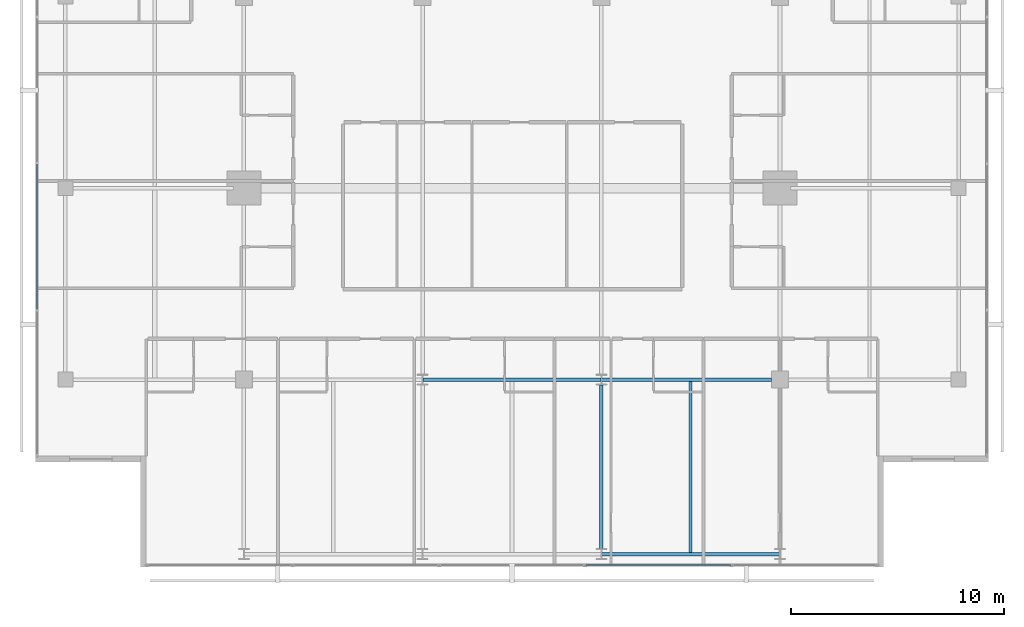
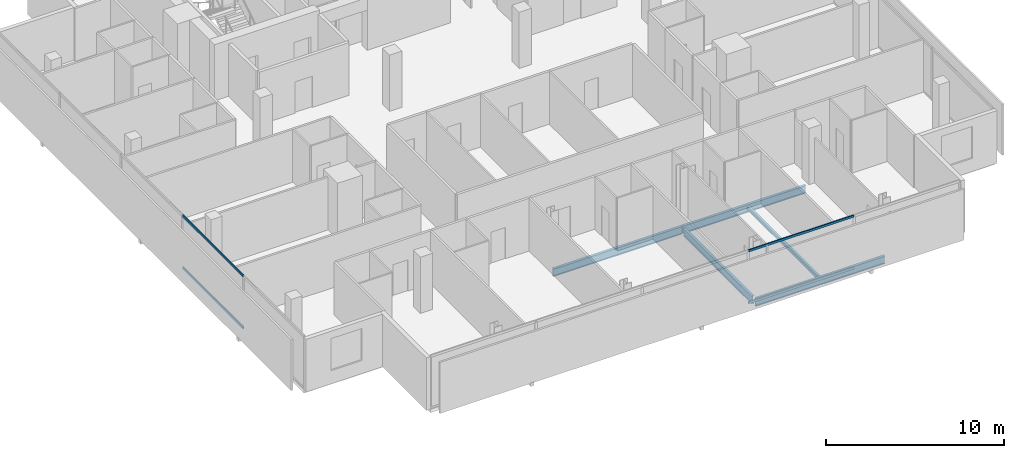
# One storey, part 7 of 26: 5 beams, 4 members, 2 elements without a shape of their own.
"""IFC4 building model written with IfcOpenShell, lengths in metres."""

import ifcopenshell
import ifcopenshell.guid

model = None  # the IFC model being written
_history = None  # IfcOwnerHistory: only IFC2X3 demands one
_inside = {}  # id of a spatial element -> (the spatial element, [elements in it])
_under = {}  # id of a project, library or spatial element -> (it, [spatial elements below it])
_declared = {}  # id of a project -> (the project, [libraries it declares])
_typed = {}  # id of a type object -> (the type object, [elements of that type])
_made_of = {}  # id of a material, layer set ... -> (it, [elements and type objects made of it])


def new_model(schema):
    """Start an empty IFC model of exactly this schema.

    Asked for "IFC4X3", IfcOpenShell would pick the latest addendum, in which some entities
    have other attributes; the version numbers below select the first issue.
    IFC2X3 requires an IfcOwnerHistory on every rooted entity: one is made here for all.
    """
    global model, _history
    if schema == "IFC4X3":
        model = ifcopenshell.file(schema_version=(4, 3, 0, 0))
    else:
        model = ifcopenshell.file(schema=schema)
    _inside.clear()
    _under.clear()
    _declared.clear()
    _typed.clear()
    _made_of.clear()
    _history = None
    if model.schema == "IFC2X3":
        org = make("IfcOrganization", Name="unknown")
        user = make(
            "IfcPersonAndOrganization",
            ThePerson=make("IfcPerson", FamilyName="unknown"),
            TheOrganization=org,
        )
        app = make(
            "IfcApplication",
            ApplicationDeveloper=org,
            Version="unknown",
            ApplicationFullName="unknown",
            ApplicationIdentifier="unknown",
        )
        _history = make(
            "IfcOwnerHistory",
            OwningUser=user,
            OwningApplication=app,
            ChangeAction="ADDED",
            CreationDate=0,
        )
    return model


def make(cls, **values):
    """One entity of the class cls with the attributes given. An attribute that is None is left unset."""
    return model.create_entity(
        cls, **{name: value for name, value in values.items() if value is not None}
    )


def rooted(cls, **values):
    """An entity with a GlobalId (a new one), such as an element, a storey or a relation."""
    return make(cls, GlobalId=ifcopenshell.guid.new(), OwnerHistory=_history, **values)


def si_unit(unit_type, name, prefix=None):
    """IfcSIUnit, for example si_unit("LENGTHUNIT", "METRE", prefix="MILLI")."""
    return make("IfcSIUnit", UnitType=unit_type, Prefix=prefix, Name=name)


def assignment(units):
    """IfcUnitAssignment: the units of a project."""
    return None if units is None else make("IfcUnitAssignment", Units=units)


def point(xyz):
    """IfcCartesianPoint."""
    return None if xyz is None else make("IfcCartesianPoint", Coordinates=xyz)


def direction(xyz):
    """IfcDirection."""
    return None if xyz is None else make("IfcDirection", DirectionRatios=xyz)


def frame(location, z_axis=None, x_axis=None):
    """IfcAxis2Placement3D, a coordinate frame: its origin and axes. An axis left out is left unset."""
    return make(
        "IfcAxis2Placement3D",
        Location=point(location),
        Axis=direction(z_axis),
        RefDirection=direction(x_axis),
    )


def frame_2d(location, x_axis=None):
    """IfcAxis2Placement2D, a coordinate frame in the plane: its origin and x axis."""
    return make(
        "IfcAxis2Placement2D", Location=point(location), RefDirection=direction(x_axis)
    )


def origin():
    """The frame at (0, 0, 0) with its axes left unset."""
    return frame((0.0, 0.0, 0.0))


def origin_2d():
    """The frame at (0, 0) in the plane with its x axis left unset."""
    return frame_2d((0.0, 0.0))


def place(relative_to, where):
    """IfcLocalPlacement: puts the frame where relative to a parent placement (None: the world)."""
    return make(
        "IfcLocalPlacement", PlacementRelTo=relative_to, RelativePlacement=where
    )


def context(
    kind, dimensions, precision=None, world=None, true_north=None, identifier=None
):
    """IfcGeometricRepresentationContext, for example the 3D "Model" context."""
    return make(
        "IfcGeometricRepresentationContext",
        ContextIdentifier=identifier,
        ContextType=kind,
        CoordinateSpaceDimension=dimensions,
        Precision=precision,
        WorldCoordinateSystem=world,
        TrueNorth=true_north,
    )


def subcontext(parent, identifier, kind, view, scale=None):
    """IfcGeometricRepresentationSubContext, for example "Body" below "Model"."""
    return make(
        "IfcGeometricRepresentationSubContext",
        ContextIdentifier=identifier,
        ContextType=kind,
        ParentContext=parent,
        TargetScale=scale,
        TargetView=view,
    )


def project(units=None, contexts=None):
    """IfcProject with its units and contexts."""
    return rooted(
        "IfcProject",
        Name="project",
        RepresentationContexts=contexts,
        UnitsInContext=assignment(units),
    )


def spatial(cls, under=None, at=None, **own):
    """A site, building, storey or space (cls), placed at a placement, below another one or the project."""
    s = rooted(cls, ObjectPlacement=at, **own)
    if under is not None:
        _under.setdefault(under.id(), (under, []))[1].append(s)
    return s


def profile(cls, at=None, kind="AREA", **sizes):
    """A parametric profile (cls). Its sizes go by their IFC names, for example OverallWidth=200.0."""
    return make(cls, ProfileType=kind, Position=at, **sizes)


def hollow_rectangle(**sizes):
    """IfcRectangleHollowProfileDef."""
    return profile("IfcRectangleHollowProfileDef", **sizes)


def i_section(**sizes):
    """IfcIShapeProfileDef."""
    return profile("IfcIShapeProfileDef", **sizes)


def extrude(swept, where, along, depth):
    """IfcExtrudedAreaSolid: the profile swept, set in the frame where, extruded along a direction by depth."""
    return make(
        "IfcExtrudedAreaSolid",
        SweptArea=swept,
        Position=where,
        ExtrudedDirection=direction(along),
        Depth=depth,
    )


def shape(context_of_items, identifier, shape_type, items):
    """IfcShapeRepresentation: the items that make up one representation, for example the "Body"."""
    return make(
        "IfcShapeRepresentation",
        ContextOfItems=context_of_items,
        RepresentationIdentifier=identifier,
        RepresentationType=shape_type,
        Items=items,
    )


def material(Name=None, Category=None):
    """IfcMaterial."""
    return make("IfcMaterial", Name=Name, Category=Category)


def layer(
    of_material, thickness, ventilated=None, Name=None, Category=None, Priority=None
):
    """IfcMaterialLayer: one layer of a wall or slab, of a material (None: an air gap)."""
    return make(
        "IfcMaterialLayer",
        Material=of_material,
        LayerThickness=thickness,
        IsVentilated=ventilated,
        Name=Name,
        Category=Category,
        Priority=Priority,
    )


def layer_set(layers, Name=None):
    """IfcMaterialLayerSet."""
    return make("IfcMaterialLayerSet", MaterialLayers=layers, LayerSetName=Name)


def material_profile(
    of_material, cross_section, Name=None, Category=None, Priority=None
):
    """IfcMaterialProfile: a cross section and its material."""
    return make(
        "IfcMaterialProfile",
        Name=Name,
        Material=of_material,
        Profile=cross_section,
        Priority=Priority,
        Category=Category,
    )


def profile_set(profiles, Name=None, composite=None):
    """IfcMaterialProfileSet."""
    return make(
        "IfcMaterialProfileSet",
        Name=Name,
        MaterialProfiles=profiles,
        CompositeProfile=composite,
    )


def made_of(thing, what):
    """Note that an element or type object is made of a material, layer set ...; save() writes the relation."""
    if what is not None:
        _made_of.setdefault(what.id(), (what, []))[1].append(thing)
    return thing


def type_object(cls, material=None, **own):
    """A type object (cls), such as IfcWallType, which elements share."""
    return made_of(rooted(cls, **own), material)


def element(
    cls,
    number,
    at=None,
    inside=None,
    cuts=None,
    type_object=None,
    material=None,
    context=None,
    identifier="Body",
    shape_type=None,
    held_by="IfcProductDefinitionShape",
    body=None,
    shapes=None,
    **own,
):
    """One element of the class cls, such as IfcWall. Its Tag is "e" and its number.

    at: its placement. inside: the storey or other place that contains it. cuts: it is an
    opening in that element (IfcRelVoidsElement). A single representation is given by context,
    identifier, shape_type and body (its items); several are given by shapes. held_by: the class
    of the entity that holds the representations. save() writes the other relations.
    """
    e = rooted(cls, Tag="e%d" % number, ObjectPlacement=at, **own)
    if body is not None:
        shapes = [shape(context, identifier, shape_type, body)]
    if shapes is not None:
        e.Representation = make(held_by, Representations=shapes)
    if inside is not None:
        _inside.setdefault(inside.id(), (inside, []))[1].append(e)
    if cuts is not None:
        rooted(
            "IfcRelVoidsElement", RelatingBuildingElement=cuts, RelatedOpeningElement=e
        )
    if type_object is not None:
        _typed.setdefault(type_object.id(), (type_object, []))[1].append(e)
    return made_of(e, material)


def aggregate(whole, parts):
    """IfcRelAggregates: a whole, such as a stair, and the parts it consists of."""
    return rooted("IfcRelAggregates", RelatingObject=whole, RelatedObjects=parts)


def save(model, path):
    """Write the relations noted so far, then the file.

    IfcRelAggregates (storeys below a building ...), IfcRelContainedInSpatialStructure (elements
    in a storey), IfcRelDefinesByType, IfcRelAssociatesMaterial and IfcRelDeclares: one each for
    every whole, place, type object, material and project.
    """
    for whole, parts in _under.values():
        aggregate(whole, parts)
    for where, things in _inside.values():
        rooted(
            "IfcRelContainedInSpatialStructure",
            RelatedElements=things,
            RelatingStructure=where,
        )
    for kind, things in _typed.values():
        rooted("IfcRelDefinesByType", RelatedObjects=things, RelatingType=kind)
    for what, things in _made_of.values():
        rooted("IfcRelAssociatesMaterial", RelatedObjects=things, RelatingMaterial=what)
    for by, libraries in _declared.values():
        rooted("IfcRelDeclares", RelatingContext=by, RelatedDefinitions=libraries)
    model.write(path)


model = new_model("IFC4")

# Units and contexts
model_context = context("Model", 3, precision=1e-05, world=origin(), true_north=direction((0.0, 1.0)))
body_context = subcontext(model_context, "Body", "Model", "MODEL_VIEW")
ifc_project = project(units=[si_unit("LENGTHUNIT", "METRE"), si_unit("AREAUNIT", "SQUARE_METRE"), si_unit("VOLUMEUNIT", "CUBIC_METRE"), si_unit("PLANEANGLEUNIT", "RADIAN"), si_unit("MASSUNIT", "GRAM", prefix="KILO")], contexts=[model_context])

# Site, building, storey
site_placement = place(None, origin())
site = spatial("IfcSite", under=ifc_project, at=site_placement, CompositionType="ELEMENT")
building_placement = place(site_placement, origin())
building = spatial("IfcBuilding", under=site, at=building_placement, Name="Maruvema Waterfront Hotel and Observation Tower", CompositionType="ELEMENT")
storey_placement = place(building_placement, frame((0.0, 0.0, 285.60009765625)))
storey = spatial("IfcBuildingStorey", under=building, at=storey_placement, Name="L70", CompositionType="ELEMENT", Elevation=285.60009765625)

# Curtain wall, members
ifc_material_1 = material(Name="Anodised bronze aluminium and solar-control low-E IGU", Category="aluminium")
ifc_layer = layer(ifc_material_1, 0.159912109375, Name="Zone 3 Champagne Inner Thermal Curtain Wall System CW-04")
ifc_layer_set = layer_set([ifc_layer], Name="Anodised bronze aluminium and solar-control low-E IGU")
curtain_wall_type = type_object("IfcCurtainWallType", Name="Zone 3 Champagne Inner Thermal Curtain Wall System CW-04", PredefinedType="USERDEFINED", material=ifc_layer_set)
curtain_wall_1_placement = place(storey_placement, origin())
curtain_wall_1 = element("IfcCurtainWall", 1, at=curtain_wall_1_placement, inside=storey, type_object=curtain_wall_type, Name="L70 Curtain Wall CW-L70-S", ObjectType="UNITISED CURTAIN WALL", PredefinedType="USERDEFINED")
ifc_material_2 = material(Name="Anodised architectural bronze aluminium", Category="aluminium")
ifc_material_profile_1 = material_profile(ifc_material_2, hollow_rectangle(XDim=0.070068359375, YDim=0.14990234375, WallThickness=0.00390625, at=origin_2d()), Name="ALU-T70x150")
ifc_profile_set_1 = profile_set([ifc_material_profile_1], Name="Anodised architectural bronze aluminium")
member_type = type_object("IfcMemberType", Name="Curtain Wall Horizontal Transom ALU-T70x150", PredefinedType="USERDEFINED", material=ifc_profile_set_1)
member_1_placement = place(storey_placement, frame((41.27001953125, 9.280029296875, 0.02978515625), z_axis=(1.0, 0.0, 0.0), x_axis=(0.0, 1.0, 0.0)))
member_1 = element("IfcMember", 2, at=member_1_placement, type_object=member_type, Name="CW-04 transom 4.1", ObjectType="TRANSOM", PredefinedType="USERDEFINED", context=body_context, shape_type="SweptSolid", body=[
    extrude(hollow_rectangle(XDim=0.070068359375, YDim=0.14990234375, WallThickness=0.00390625, at=origin_2d()), origin(), (0.0, 0.0, 1.0), 6.820068359375),
])
member_2_placement = place(storey_placement, frame((41.27001953125, 9.280029296875, 3.579833984375), z_axis=(1.0, 0.0, 0.0), x_axis=(0.0, 1.0, 0.0)))
member_2 = element("IfcMember", 3, at=member_2_placement, type_object=member_type, Name="CW-04 transom 4.2", ObjectType="TRANSOM", PredefinedType="USERDEFINED", context=body_context, shape_type="SweptSolid", body=[
    extrude(hollow_rectangle(XDim=0.070068359375, YDim=0.14990234375, WallThickness=0.00390625, at=origin_2d()), origin(), (0.0, 0.0, 1.0), 6.820068359375),
])
aggregate(curtain_wall_1, [member_1, member_2])

curtain_wall_2_placement = place(storey_placement, origin())
curtain_wall_2 = element("IfcCurtainWall", 4, at=curtain_wall_2_placement, inside=storey, type_object=curtain_wall_type, Name="L70 Curtain Wall CW-L70-W", ObjectType="UNITISED CURTAIN WALL", PredefinedType="USERDEFINED")
member_3_placement = place(storey_placement, frame((15.47998046875, 28.1298828125, 0.02978515625), z_axis=(0.0, -1.0, 0.0), x_axis=(1.0, 0.0, 0.0)))
member_3 = element("IfcMember", 5, at=member_3_placement, type_object=member_type, Name="CW-04 transom 4.1", ObjectType="TRANSOM", PredefinedType="USERDEFINED", context=body_context, shape_type="SweptSolid", body=[
    extrude(hollow_rectangle(XDim=0.070068359375, YDim=0.14990234375, WallThickness=0.00390625, at=origin_2d()), origin(), (0.0, 0.0, 1.0), 6.81982421875),
])
member_4_placement = place(storey_placement, frame((15.47998046875, 28.1298828125, 3.579833984375), z_axis=(0.0, -1.0, 0.0), x_axis=(1.0, 0.0, 0.0)))
member_4 = element("IfcMember", 6, at=member_4_placement, type_object=member_type, Name="CW-04 transom 4.2", ObjectType="TRANSOM", PredefinedType="USERDEFINED", context=body_context, shape_type="SweptSolid", body=[
    extrude(hollow_rectangle(XDim=0.070068359375, YDim=0.14990234375, WallThickness=0.00390625, at=origin_2d()), origin(), (0.0, 0.0, 1.0), 6.81982421875),
])
aggregate(curtain_wall_2, [member_3, member_4])

# Beams
ifc_material_3 = material(Name="Steel ASTM A572 Grade 50", Category="steel")
ifc_material_profile_2 = material_profile(ifc_material_3, i_section(OverallWidth=0.166015625, OverallDepth=0.529052734375, WebThickness=0.009765625, FlangeThickness=0.013671875, FilletRadius=0.014892578125, at=origin_2d()), Name="W530x74.0")
ifc_profile_set_2 = profile_set([ifc_material_profile_2], Name="Steel ASTM A572 Grade 50")
beam_type_1 = type_object("IfcBeamType", Name="Primary Floor Girder W530x74.0", PredefinedType="BEAM", material=ifc_profile_set_2)
for number, where, z_axis, x_axis, name in (
    (7, (42.010986328125, 9.800048828125, -0.504638671875), (1.0, 0.0, 0.0), (0.0, 1.0, 0.0), "L70 Floor Girder EW-03"),
    (8, (33.611083984375, 18.0, -0.504638671875), (1.0, 0.0, 0.0), (0.0, 1.0, 0.0), "L70 Floor Girder EW-06"),
):
    element("IfcBeam", number, at=place(storey_placement, frame(where, z_axis=z_axis, x_axis=x_axis)), inside=storey, type_object=beam_type_1, Name=name, PredefinedType="BEAM", context=body_context, shape_type="SweptSolid", body=[
        extrude(i_section(OverallWidth=0.166015625, OverallDepth=0.529052734375, WebThickness=0.009765625, FlangeThickness=0.013671875, FilletRadius=0.014892578125, at=origin_2d()), origin(), (0.0, 0.0, 1.0), 8.3779296875),
    ])
beam_1_placement = place(storey_placement, frame((42.010986328125, 18.0, -0.504638671875), z_axis=(1.0, 0.0, 0.0), x_axis=(0.0, 1.0, 0.0)))
element("IfcBeam", 9, at=beam_1_placement, inside=storey, type_object=beam_type_1, Name="L70 Floor Girder EW-07", PredefinedType="BEAM", context=body_context, shape_type="SweptSolid", body=[
    extrude(i_section(OverallWidth=0.166015625, OverallDepth=0.529052734375, WebThickness=0.009765625, FlangeThickness=0.013671875, FilletRadius=0.014892578125, at=origin_2d()), origin(), (0.0, 0.0, 1.0), 7.989013671875),
])
beam_2_placement = place(storey_placement, frame((42.0, 10.050048828125, -0.504638671875), z_axis=(0.0, 1.0, 0.0), x_axis=(-1.0, 0.0, 0.0)))
element("IfcBeam", 10, at=beam_2_placement, inside=storey, type_object=beam_type_1, Name="L70 Floor Girder NS-10", PredefinedType="BEAM", context=body_context, shape_type="SweptSolid", body=[
    extrude(i_section(OverallWidth=0.166015625, OverallDepth=0.529052734375, WebThickness=0.009765625, FlangeThickness=0.013671875, FilletRadius=0.014892578125, at=origin_2d()), origin(), (0.0, 0.0, 1.0), 7.699951171875),
])
ifc_material_4 = material(Name="Steel ASTM A572 Grade 50", Category="steel")
ifc_material_profile_3 = material_profile(ifc_material_4, i_section(OverallWidth=0.14794921875, OverallDepth=0.26611328125, WebThickness=0.007568359375, FlangeThickness=0.012939453125, FilletRadius=0.012939453125, at=origin_2d()), Name="W250x44.8")
ifc_profile_set_3 = profile_set([ifc_material_profile_3], Name="Steel ASTM A572 Grade 50")
beam_type_2 = type_object("IfcBeamType", Name="Secondary Floor Joist W250x44.8", PredefinedType="JOIST", material=ifc_profile_set_3)
beam_3_placement = place(storey_placement, frame((46.199951171875, 9.883056640625, -0.373046875), z_axis=(0.0, 1.0, 0.0), x_axis=(-1.0, 0.0, 0.0)))
element("IfcBeam", 11, at=beam_3_placement, inside=storey, type_object=beam_type_2, Name="L70 Secondary Floor Joist JS-06", PredefinedType="JOIST", context=body_context, shape_type="SweptSolid", body=[
    extrude(i_section(OverallWidth=0.14794921875, OverallDepth=0.26611328125, WebThickness=0.007568359375, FlangeThickness=0.012939453125, FilletRadius=0.012939453125, at=origin_2d()), origin(), (0.0, 0.0, 1.0), 8.033935546875),
])

save(model, "model.ifc")
